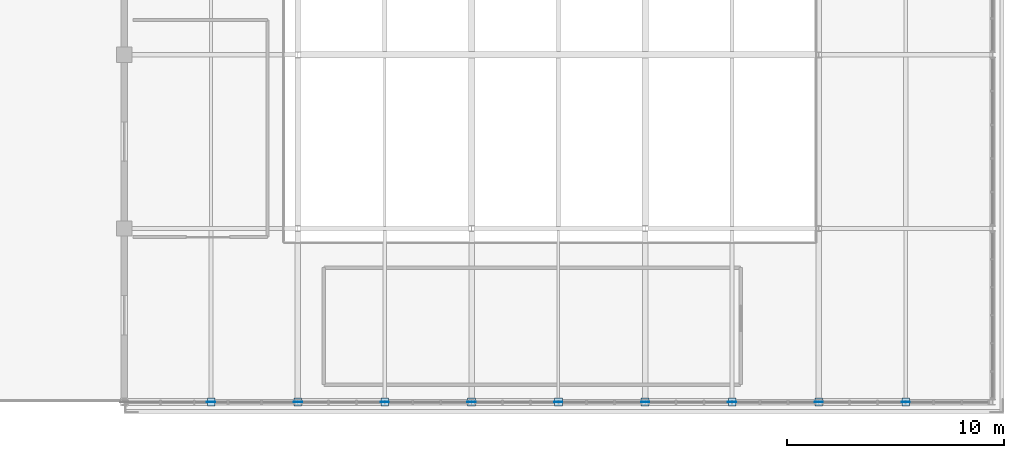
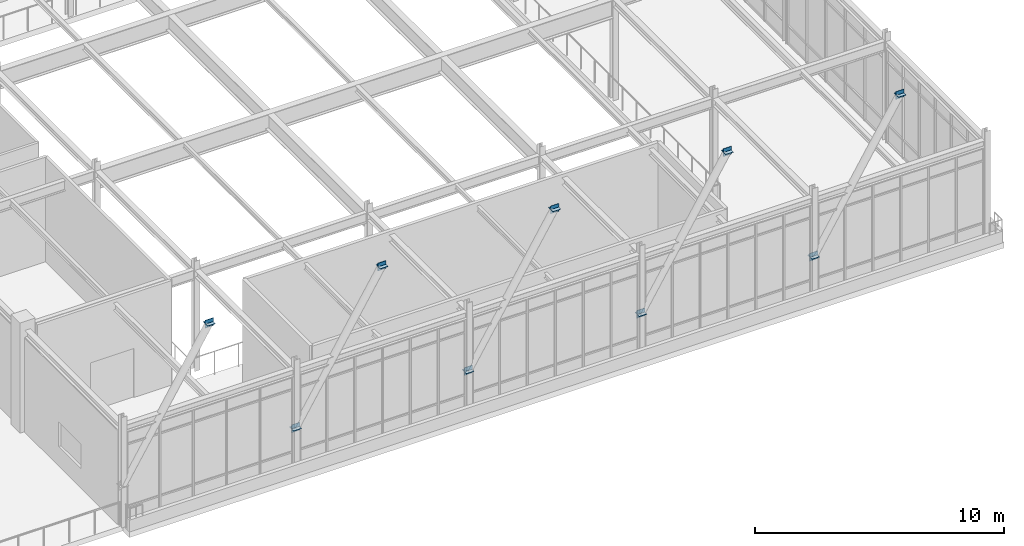
# One storey, part 83 of 108: 18 plates.
"""IFC4 building model written with IfcOpenShell, lengths in metres."""

from ifc_helpers import new_model, si_unit, direction, frame, origin, origin_2d, place, context, subcontext, project, spatial, rectangle, extrude, material, layer, layer_set, type_object, element, save


model = new_model("IFC4")

# Units and contexts
model_context = context("Model", 3, precision=1e-05, world=origin(), true_north=direction((0.0, 1.0)))
body_context = subcontext(model_context, "Body", "Model", "MODEL_VIEW")
ifc_project = project(units=[si_unit("LENGTHUNIT", "METRE"), si_unit("AREAUNIT", "SQUARE_METRE"), si_unit("VOLUMEUNIT", "CUBIC_METRE"), si_unit("PLANEANGLEUNIT", "RADIAN"), si_unit("MASSUNIT", "GRAM", prefix="KILO")], contexts=[model_context])

# Site, building, storey
site_placement = place(None, origin())
site = spatial("IfcSite", under=ifc_project, at=site_placement, CompositionType="ELEMENT")
building_placement = place(site_placement, origin())
building = spatial("IfcBuilding", under=site, at=building_placement, Name="Zhaolan Boulevard Law Courts", CompositionType="ELEMENT")
storey_placement = place(building_placement, frame((0.0, 0.0, 10.800048828125)))
storey = spatial("IfcBuildingStorey", under=building, at=storey_placement, Name="L02", CompositionType="ELEMENT", Elevation=10.800048828125)

# Plates
ifc_material_1 = material(Name="Structural steel Q355B", Category="steel")
ifc_layer_1 = layer(ifc_material_1, 0.02392578125)
ifc_layer_set_1 = layer_set([ifc_layer_1])
plate_type_1 = type_object("IfcPlateType", Name="BRACE GUSSET PLATE 24", PredefinedType="SHEET", material=ifc_layer_set_1)
for number, where, z_axis, x_axis, name in (
    (1, (128.0, 6.0, 8.330078125), (0.0, 0.0, 1.0), (1.0, 0.0, 0.0), "Eave Strut End Gusset GP-FPS1-2"),
    (2, (132.0, 6.0, 1.81005859375), (0.0, 0.0, 1.0), (1.0, 0.0, 0.0), "Eave Strut End Gusset GP-FPS2-1"),
    (3, (136.0, 6.0, 8.330078125), (0.0, 0.0, 1.0), (1.0, 0.0, 0.0), "Eave Strut End Gusset GP-FPS2-2"),
    (4, (140.0, 6.0, 1.81005859375), (0.0, 0.0, 1.0), (1.0, 0.0, 0.0), "Eave Strut End Gusset GP-FPS3-1"),
    (5, (144.0, 6.0, 8.330078125), (0.0, 0.0, 1.0), (1.0, 0.0, 0.0), "Eave Strut End Gusset GP-FPS3-2"),
    (6, (148.0, 6.0, 1.81005859375), (0.0, 0.0, 1.0), (1.0, 0.0, 0.0), "Eave Strut End Gusset GP-FPS4-1"),
    (7, (152.0, 6.0, 8.330078125), (0.0, 0.0, 1.0), (1.0, 0.0, 0.0), "Eave Strut End Gusset GP-FPS4-2"),
    (8, (156.0, 6.0, 1.81005859375), (0.0, 0.0, 1.0), (1.0, 0.0, 0.0), "Eave Strut End Gusset GP-FPS5-1"),
    (9, (160.0, 6.0, 8.330078125), (0.0, 0.0, 1.0), (1.0, 0.0, 0.0), "Eave Strut End Gusset GP-FPS5-2"),
):
    element("IfcPlate", number, at=place(storey_placement, frame(where, z_axis=z_axis, x_axis=x_axis)), inside=storey, type_object=plate_type_1, Name=name, PredefinedType="SHEET", context=body_context, shape_type="SweptSolid", body=[
        extrude(rectangle(XDim=0.3798828125, YDim=0.02392578125, at=origin_2d()), origin(), (0.0, 0.0, 1.0), 0.3798828125),
    ])
ifc_material_2 = material(Name="Structural steel Q355B", Category="steel")
ifc_layer_2 = layer(ifc_material_2, 0.02001953125)
ifc_layer_set_2 = layer_set([ifc_layer_2])
plate_type_2 = type_object("IfcPlateType", Name="END CAP PLATE 20", PredefinedType="SHEET", material=ifc_layer_set_2)
for number, where, z_axis, x_axis, name in (
    (10, (128.004150390625, 6.0, 8.516845703125), (0.0, 0.0, 1.0), (1.0, 0.0, 0.0), "Hollow Section End-Cap Plate ECP-1416"),
    (11, (131.995849609375, 6.0, 1.983154296875), (0.0, 0.0, 1.0), (1.0, 0.0, 0.0), "Hollow Section End-Cap Plate ECP-1417"),
    (12, (136.004150390625, 6.0, 8.516845703125), (0.0, 0.0, 1.0), (1.0, 0.0, 0.0), "Hollow Section End-Cap Plate ECP-1418"),
    (13, (139.995849609375, 6.0, 1.983154296875), (0.0, 0.0, 1.0), (1.0, 0.0, 0.0), "Hollow Section End-Cap Plate ECP-1419"),
    (14, (144.004150390625, 6.0, 8.516845703125), (0.0, 0.0, 1.0), (1.0, 0.0, 0.0), "Hollow Section End-Cap Plate ECP-1420"),
    (15, (147.995849609375, 6.0, 1.983154296875), (0.0, 0.0, 1.0), (1.0, 0.0, 0.0), "Hollow Section End-Cap Plate ECP-1421"),
    (16, (152.004150390625, 6.0, 8.516845703125), (0.0, 0.0, 1.0), (1.0, 0.0, 0.0), "Hollow Section End-Cap Plate ECP-1422"),
    (17, (155.995849609375, 6.0, 1.983154296875), (0.0, 0.0, 1.0), (1.0, 0.0, 0.0), "Hollow Section End-Cap Plate ECP-1423"),
    (18, (160.004150390625, 6.0, 8.516845703125), (0.0, 0.0, 1.0), (1.0, 0.0, 0.0), "Hollow Section End-Cap Plate ECP-1424"),
):
    element("IfcPlate", number, at=place(storey_placement, frame(where, z_axis=z_axis, x_axis=x_axis)), inside=storey, type_object=plate_type_2, Name=name, PredefinedType="SHEET", context=body_context, shape_type="SweptSolid", body=[
        extrude(rectangle(XDim=0.35498046875, YDim=0.35498046875, at=origin_2d()), origin(), (0.0, 0.0, 1.0), 0.02001953125),
    ])

save(model, "model.ifc")
